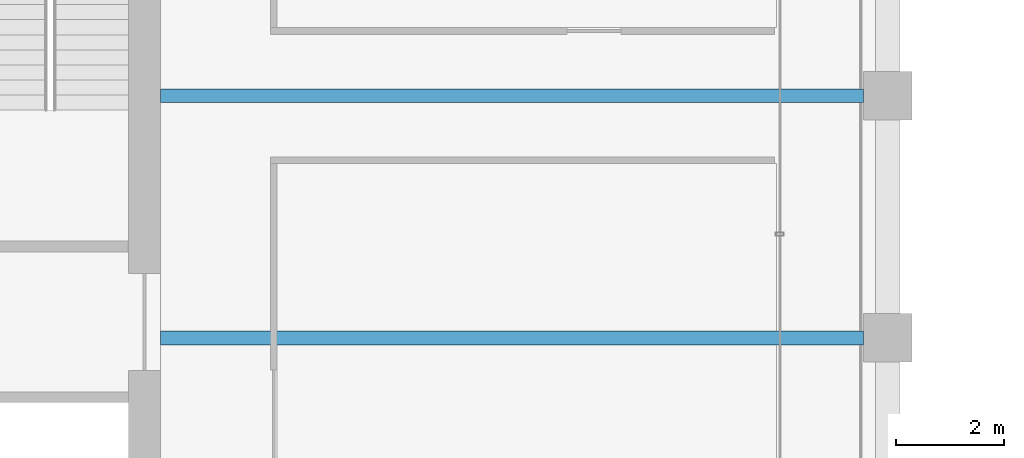
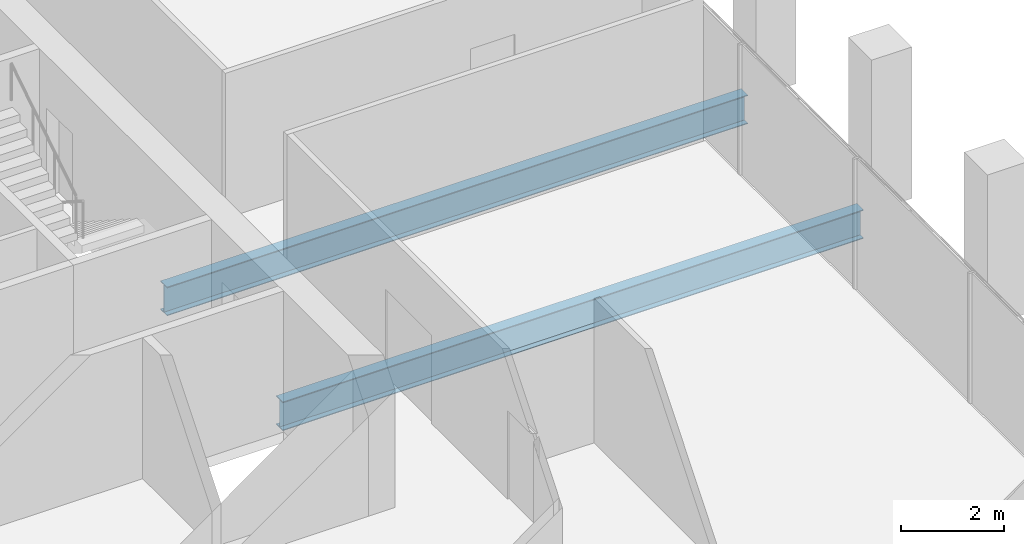
# One storey, part 16 of 40: 2 beams.
"""IFC4 building model written with IfcOpenShell, lengths in metres."""

from ifc_helpers import new_model, si_unit, direction, frame, origin, origin_2d, place, context, subcontext, project, spatial, i_section, extrude, material, material_profile, profile_set, type_object, element, save


model = new_model("IFC4")

# Units and contexts
model_context = context("Model", 3, precision=1e-05, world=origin(), true_north=direction((0.0, 1.0)))
body_context = subcontext(model_context, "Body", "Model", "MODEL_VIEW")
ifc_project = project(units=[si_unit("LENGTHUNIT", "METRE"), si_unit("AREAUNIT", "SQUARE_METRE"), si_unit("VOLUMEUNIT", "CUBIC_METRE"), si_unit("PLANEANGLEUNIT", "RADIAN"), si_unit("MASSUNIT", "GRAM", prefix="KILO")], contexts=[model_context])

# Site, building, storey
site_placement = place(None, origin())
site = spatial("IfcSite", under=ifc_project, at=site_placement, CompositionType="ELEMENT")
building_placement = place(site_placement, origin())
building = spatial("IfcBuilding", under=site, at=building_placement, Name="Altepetl Exchange Towers", CompositionType="ELEMENT")
storey_placement = place(building_placement, frame((0.0, 0.0, 172.60009765625)))
storey = spatial("IfcBuildingStorey", under=building, at=storey_placement, Name="L43", CompositionType="ELEMENT", Elevation=172.60009765625)

# Beams
ifc_material = material(Name="Steel S355", Category="steel")
ifc_material_profile = material_profile(ifc_material, i_section(OverallWidth=0.25390625, OverallDepth=0.68408203125, WebThickness=0.012451171875, FlangeThickness=0.018798828125, at=origin_2d()), Name="W27X94")
ifc_profile_set = profile_set([ifc_material_profile], Name="Steel S355")
beam_type = type_object("IfcBeamType", Name="Floor beam W27X94", PredefinedType="BEAM", material=ifc_profile_set)
for number, where, z_axis, x_axis, name in (
    (1, (58.5, 45.0, -0.4921875), (1.0, 0.0, 0.0), (0.0, 1.0, 0.0), "bm:A:L43:009"),
    (2, (58.5, 49.5, -0.4921875), (1.0, 0.0, 0.0), (0.0, 1.0, 0.0), "bm:A:L43:010"),
):
    element("IfcBeam", number, at=place(storey_placement, frame(where, z_axis=z_axis, x_axis=x_axis)), inside=storey, type_object=beam_type, Name=name, PredefinedType="BEAM", context=body_context, shape_type="SweptSolid", body=[
        extrude(i_section(OverallWidth=0.25390625, OverallDepth=0.68408203125, WebThickness=0.012451171875, FlangeThickness=0.018798828125, at=origin_2d()), origin(), (0.0, 0.0, 1.0), 13.050048828125),
    ])

save(model, "model.ifc")
